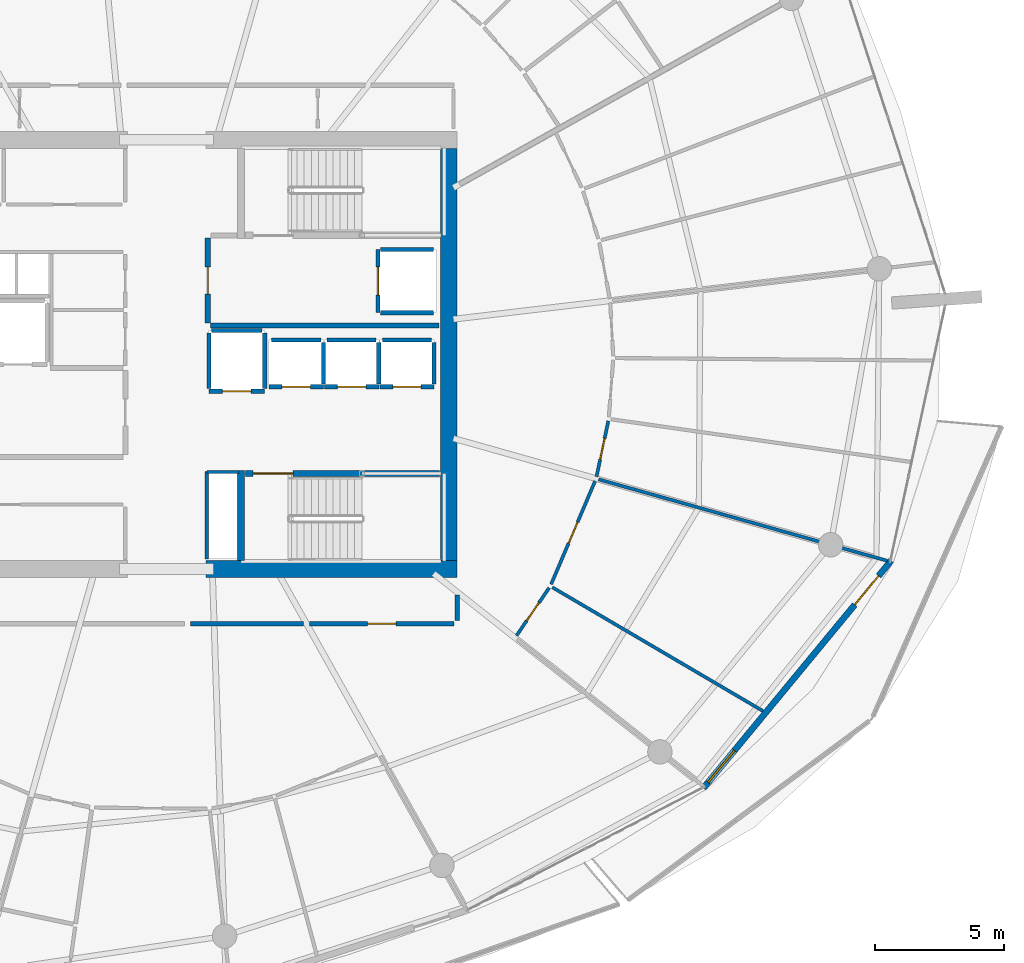
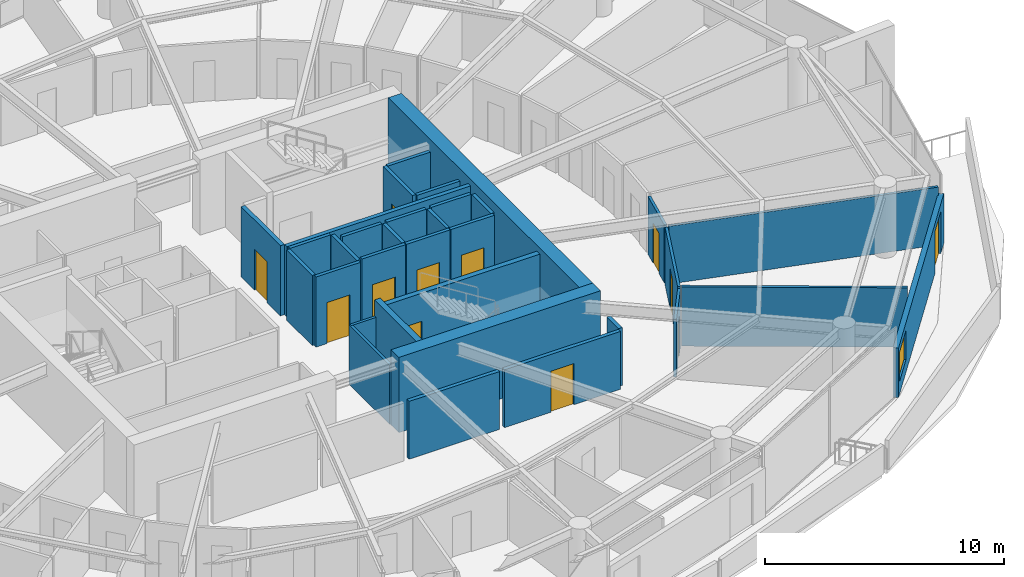
# One storey, part 20 of 31: 33 walls, 12 doors, 1 window, 13 openings.
"""IFC4 building model written with IfcOpenShell, lengths in metres."""

from ifc_helpers import new_model, si_unit, direction, frame, frame_2d, origin, place, context, subcontext, project, spatial, rectangle, extrude, material, layer, layer_set, type_object, element, fill, save


model = new_model("IFC4")

# Units and contexts
model_context = context("Model", 3, precision=1e-05, world=origin(), true_north=direction((0.0, 1.0)))
body_context = subcontext(model_context, "Body", "Model", "MODEL_VIEW")
ifc_project = project(units=[si_unit("LENGTHUNIT", "METRE"), si_unit("AREAUNIT", "SQUARE_METRE"), si_unit("VOLUMEUNIT", "CUBIC_METRE"), si_unit("PLANEANGLEUNIT", "RADIAN"), si_unit("MASSUNIT", "GRAM", prefix="KILO")], contexts=[model_context])

# Site, building, storey
site_placement = place(None, origin())
site = spatial("IfcSite", under=ifc_project, at=site_placement, CompositionType="ELEMENT")
building_placement = place(site_placement, origin())
building = spatial("IfcBuilding", under=site, at=building_placement, Name="Kazma Halo Residences", CompositionType="ELEMENT")
storey_placement = place(building_placement, frame((0.0, 0.0, 248.25)))
storey = spatial("IfcBuildingStorey", under=building, at=storey_placement, Name="L62", CompositionType="ELEMENT", Elevation=248.25)

# Walls
ifc_material_1 = material(Name="Concrete C60/75", Category="concrete")
ifc_layer_1 = layer(ifc_material_1, 0.64990234375)
ifc_layer_set_1 = layer_set([ifc_layer_1], Name="Concrete C60/75")
wall_type_1 = type_object("IfcWallType", Name="WL-CORE-650", PredefinedType="SHEAR", material=ifc_layer_set_1)
wall_1_placement = place(storey_placement, frame((49.949951171875, 33.675048828125, 0.0), z_axis=(0.0, 0.0, 1.0), x_axis=(1.0, 0.0, 0.0)))
element("IfcWall", 1, at=wall_1_placement, inside=storey, type_object=wall_type_1, Name="L62 central core shear wall SE", PredefinedType="SHEAR", context=body_context, shape_type="SweptSolid", body=[
    extrude(rectangle(XDim=9.75, YDim=0.64990234375, at=frame_2d((4.875, 0.0))), origin(), (0.0, 0.0, 1.0), 3.85009765625),
])
wall_2_placement = place(storey_placement, frame((59.375, 34.0, 0.0), z_axis=(0.0, 0.0, 1.0), x_axis=(0.0, 1.0, 0.0)))
element("IfcWall", 2, at=wall_2_placement, inside=storey, type_object=wall_type_1, Name="L62 central core shear wall E", PredefinedType="SHEAR", context=body_context, shape_type="SweptSolid", body=[
    extrude(rectangle(XDim=16.0, YDim=0.64990234375, at=frame_2d((8.0, 0.0))), origin(), (0.0, 0.0, 1.0), 3.85009765625),
])
ifc_layer_2 = layer(ifc_material_1, 0.280029296875)
ifc_layer_set_2 = layer_set([ifc_layer_2], Name="Concrete C60/75")
wall_type_2 = type_object("IfcWallType", Name="WL-CORE-ST-280", PredefinedType="SHEAR", material=ifc_layer_set_2)
wall_3_placement = place(storey_placement, frame((51.31005859375, 34.0, 0.0), z_axis=(0.0, 0.0, 1.0), x_axis=(0.0, 1.0, 0.0)))
element("IfcWall", 3, at=wall_3_placement, inside=storey, type_object=wall_type_2, Name="L62 stairwell bearing wall ST03-W", PredefinedType="SHEAR", context=body_context, shape_type="SweptSolid", body=[
    extrude(rectangle(XDim=3.5, YDim=0.280029296875, at=frame_2d((1.75, 0.0))), origin(), (0.0, 0.0, 1.0), 3.85009765625),
])

# Wall, opening, door
ifc_material_2 = material(Name="Acoustic Twin-Stud Gypsum")
ifc_layer_3 = layer(ifc_material_2, 0.179931640625)
ifc_layer_set_3 = layer_set([ifc_layer_3], Name="Acoustic Twin-Stud Gypsum")
wall_type_3 = type_object("IfcWallType", Name="WL-DEM-180", PredefinedType="PARTITIONING", material=ifc_layer_set_3)
wall_4_placement = place(storey_placement, frame((53.972412109375, 31.550048828125, 0.0), z_axis=(0.0, 0.0, 1.0), x_axis=(1.0, 0.0, 0.0)))
wall_4 = element("IfcWall", 4, at=wall_4_placement, inside=storey, type_object=wall_type_3, Name="L62 Apartment 2 entrance corridor wall", PredefinedType="PARTITIONING", context=body_context, shape_type="SweptSolid", body=[
    extrude(rectangle(XDim=5.607666015625, YDim=0.179931640625, at=frame_2d((2.8037109375, 0.0))), origin(), (0.0, 0.0, 1.0), 2.95703125),
])
opening_1_placement = place(wall_4_placement, frame((2.25390625, 0.0, 0.0)))
opening_1 = element("IfcOpeningElement", 5, at=opening_1_placement, cuts=wall_4, Name="Opening DA-1100", PredefinedType="OPENING", context=body_context, shape_type="SweptSolid", body=[
    extrude(rectangle(XDim=1.10009765625, YDim=2.10009765625, at=frame_2d((0.550048828125, 1.050048828125))), frame((0.0, 0.099853515625, 0.0), z_axis=(0.0, -1.0, 0.0), x_axis=(1.0, 0.0, 0.0)), (0.0, 0.0, 1.0), 0.199951171875),
])
ifc_material_3 = material(Name="Acoustic Walnut Fire Leaf")
door_type_1 = type_object("IfcDoorType", Name="DR-FD60-1100", OperationType="NOTDEFINED", PredefinedType="DOOR", material=ifc_material_3)
door_1_placement = place(opening_1_placement, origin())
door_1 = element("IfcDoor", 6, at=door_1_placement, inside=storey, type_object=door_type_1, Name="L62 Apartment 2 entrance fire door", OperationType="SINGLE_SWING_LEFT", OverallHeight=2.10009765625, OverallWidth=1.10009765625, PredefinedType="DOOR", context=body_context, shape_type="SweptSolid", body=[
    extrude(rectangle(XDim=1.10009765625, YDim=2.10009765625, at=frame_2d((0.550048828125, 1.050048828125))), frame((0.0, 0.02490234375, 0.0), z_axis=(0.0, -1.0, 0.0), x_axis=(1.0, 0.0, 0.0)), (0.0, 0.0, 1.0), 0.050048828125),
])
fill(opening_1, door_1)

# Walls
wall_5_placement = place(storey_placement, frame((59.699951171875, 31.669921875, 0.0), z_axis=(0.0, 0.0, 1.0), x_axis=(0.0, 1.0, 0.0)))
element("IfcWall", 7, at=wall_5_placement, inside=storey, type_object=wall_type_3, Name="L62 Apartment 2 entrance corridor wall", PredefinedType="PARTITIONING", context=body_context, shape_type="SweptSolid", body=[
    extrude(rectangle(XDim=0.986572265625, YDim=0.179931640625, at=frame_2d((0.4931640625, 0.0))), origin(), (0.0, 0.0, 1.0), 2.95703125),
])
wall_6_placement = place(storey_placement, frame((49.356689453125, 31.550048828125, 0.0), z_axis=(0.0, 0.0, 1.0), x_axis=(1.0, 0.0, 0.0)))
element("IfcWall", 8, at=wall_6_placement, inside=storey, type_object=wall_type_3, Name="L62 Apartment 2 inner wall 11", PredefinedType="PARTITIONING", context=body_context, shape_type="SweptSolid", body=[
    extrude(rectangle(XDim=4.375732421875, YDim=0.179931640625, at=frame_2d((2.18798828125, 0.0))), origin(), (0.0, 0.0, 1.0), 2.95703125),
])

# Wall, openings, door, window
ifc_material_4 = material(Name="Insulated Pale-Metal Composite Wall")
ifc_layer_4 = layer(ifc_material_4, 0.239990234375)
ifc_layer_set_4 = layer_set([ifc_layer_4], Name="Insulated Pale-Metal Composite Wall")
wall_type_4 = type_object("IfcWallType", Name="WL-EXT-HOST-240", PredefinedType="SOLIDWALL", material=ifc_layer_set_4)
wall_7_placement = place(storey_placement, frame((69.2578125, 25.177978515625, 0.0), z_axis=(0.0, 0.0, 1.0), x_axis=(0.636680093065, 0.771128043255, 0.0)))
wall_7 = element("IfcWall", 9, at=wall_7_placement, inside=storey, type_object=wall_type_4, Name="L62 exterior terrace-access wall B14", PredefinedType="SOLIDWALL", context=body_context, shape_type="SweptSolid", body=[
    extrude(rectangle(XDim=11.438232421875, YDim=0.239990234375, at=frame_2d((5.71923828125, 0.0))), origin(), (0.0, 0.0, 1.0), 2.5400390625),
])
opening_2_placement = place(wall_7_placement, frame((9.21826171875, 0.0, 0.0)))
opening_2 = element("IfcOpeningElement", 10, at=opening_2_placement, cuts=wall_7, Name="Opening DTR-1600", PredefinedType="OPENING", context=body_context, shape_type="SweptSolid", body=[
    extrude(rectangle(XDim=1.449951171875, YDim=2.14990234375, at=frame_2d((0.72509765625, 1.074951171875))), frame((0.0, 0.1298828125, 0.0), z_axis=(0.0, -1.0, 0.0), x_axis=(1.0, 0.0, 0.0)), (0.0, 0.0, 1.0), 0.260009765625),
])
opening_3_placement = place(wall_7_placement, frame((0.280029296875, 0.0, 0.64990234375)))
opening_3 = element("IfcOpeningElement", 11, at=opening_3_placement, cuts=wall_7, Name="Opening W-1800", PredefinedType="OPENING", context=body_context, shape_type="SweptSolid", body=[
    extrude(rectangle(XDim=1.60009765625, YDim=1.5, at=frame_2d((0.800048828125, 0.75))), frame((0.0, 0.1298828125, 0.0), z_axis=(0.0, -1.0, 0.0), x_axis=(1.0, 0.0, 0.0)), (0.0, 0.0, 1.0), 0.260009765625),
])
ifc_material_5 = material(Name="Aluminium AW-6063 T6 Double-Glazed Terrace Door", Category="aluminium")
door_type_2 = type_object("IfcDoorType", Name="DR-EXT-TERR-1600", OperationType="NOTDEFINED", PredefinedType="DOOR", material=ifc_material_5)
door_2_placement = place(opening_2_placement, origin())
door_2 = element("IfcDoor", 12, at=door_2_placement, inside=storey, type_object=door_type_2, Name="L62 B14 balcony terrace door", OperationType="DOUBLE_DOOR_SLIDING", OverallHeight=2.14990234375, OverallWidth=1.449951171875, PredefinedType="DOOR", context=body_context, shape_type="SweptSolid", body=[
    extrude(rectangle(XDim=1.449951171875, YDim=2.14990234375, at=frame_2d((0.72509765625, 1.074951171875))), frame((0.0, 0.02490234375, 0.0), z_axis=(0.0, -1.0, 0.0), x_axis=(1.0, 0.0, 0.0)), (0.0, 0.0, 1.0), 0.050048828125),
])
fill(opening_2, door_2)
ifc_material_6 = material(Name="Clear Triple-Silver Low-E Glass in Aluminium AW-6063 T6 Frame", Category="aluminium")
window_type = type_object("IfcWindowType", Name="WIN-RES-1800", PartitioningType="DOUBLE_PANEL_VERTICAL", PredefinedType="WINDOW", material=ifc_material_6)
window_placement = place(opening_3_placement, origin())
window = element("IfcWindow", 13, at=window_placement, inside=storey, type_object=window_type, Name="L62 B14 apartment window", OverallHeight=1.5, OverallWidth=1.60009765625, PartitioningType="SINGLE_PANEL", PredefinedType="WINDOW", context=body_context, shape_type="SweptSolid", body=[
    extrude(rectangle(XDim=1.60009765625, YDim=1.5, at=frame_2d((0.800048828125, 0.75))), frame((0.0, 0.030029296875, 0.0), z_axis=(0.0, -1.0, 0.0), x_axis=(1.0, 0.0, 0.0)), (0.0, 0.0, 1.0), 0.06005859375),
])
fill(opening_3, window)

# Wall, opening, door
ifc_material_7 = material(Name="Fire-Rated Blockwork Masonry", Category="masonry")
ifc_layer_5 = layer(ifc_material_7, 0.199951171875)
ifc_layer_set_5 = layer_set([ifc_layer_5], Name="Fire-Rated Blockwork Masonry")
wall_type_5 = type_object("IfcWallType", Name="WL-FLB-200", PredefinedType="PARTITIONING", material=ifc_layer_set_5)
wall_8_placement = place(storey_placement, frame((54.5048828125, 40.7451171875, 0.0), z_axis=(0.0, 0.0, 1.0), x_axis=(-1.0, 0.0, 0.0)))
wall_8 = element("IfcWall", 14, at=wall_8_placement, inside=storey, type_object=wall_type_5, Name="L62 lift shaft PH-01 front wall", PredefinedType="PARTITIONING", context=body_context, shape_type="SweptSolid", body=[
    extrude(rectangle(XDim=2.10986328125, YDim=0.159912109375, at=frame_2d((1.054931640625, 0.0))), origin(), (0.0, 0.0, 1.0), 3.590087890625),
])
opening_4_placement = place(wall_8_placement, frame((0.5048828125, 0.0, 0.0)))
opening_4 = element("IfcOpeningElement", 15, at=opening_4_placement, cuts=wall_8, Name="Opening LD-PH-01", PredefinedType="OPENING", context=body_context, shape_type="SweptSolid", body=[
    extrude(rectangle(XDim=1.10009765625, YDim=2.10009765625, at=frame_2d((0.550048828125, 1.050048828125))), frame((0.0, 0.08984375, 0.0), z_axis=(0.0, -1.0, 0.0), x_axis=(1.0, 0.0, 0.0)), (0.0, 0.0, 1.0), 0.179931640625),
])
ifc_material_8 = material(Name="Stainless Steel Fire-Rated", Category="steel")
door_type_3 = type_object("IfcDoorType", Name="DR-LIFT-SLD-1100", OperationType="DOUBLE_DOOR_SLIDING", PredefinedType="DOOR", material=ifc_material_8)
door_3_placement = place(opening_4_placement, origin())
door_3 = element("IfcDoor", 16, at=door_3_placement, inside=storey, type_object=door_type_3, Name="L62 lift PH-01 sliding landing door", OperationType="DOUBLE_DOOR_SLIDING", OverallHeight=2.10009765625, OverallWidth=1.10009765625, PredefinedType="DOOR", context=body_context, shape_type="SweptSolid", body=[
    extrude(rectangle(XDim=1.10009765625, YDim=2.10009765625, at=frame_2d((0.550048828125, 1.050048828125))), frame((0.0, 0.02490234375, 0.0), z_axis=(0.0, -1.0, 0.0), x_axis=(1.0, 0.0, 0.0)), (0.0, 0.0, 1.0), 0.050048828125),
])
fill(opening_4, door_3)

# Walls
wall_9_placement = place(storey_placement, frame((54.5048828125, 40.844970703125, 0.0), z_axis=(0.0, 0.0, 1.0), x_axis=(0.0, 1.0, 0.0)))
element("IfcWall", 17, at=wall_9_placement, inside=storey, type_object=wall_type_5, Name="L62 lift shaft PH-01 side wall E", PredefinedType="PARTITIONING", context=body_context, shape_type="SweptSolid", body=[
    extrude(rectangle(XDim=1.610107421875, YDim=0.159912109375, at=frame_2d((0.80517578125, 0.0))), origin(), (0.0, 0.0, 1.0), 3.590087890625),
])
wall_10_placement = place(storey_placement, frame((52.4951171875, 42.554931640625, 0.0), z_axis=(0.0, 0.0, 1.0), x_axis=(1.0, 0.0, 0.0)))
element("IfcWall", 18, at=wall_10_placement, inside=storey, type_object=wall_type_5, Name="L62 lift shaft PH-01 side wall N", PredefinedType="PARTITIONING", context=body_context, shape_type="SweptSolid", body=[
    extrude(rectangle(XDim=1.909912109375, YDim=0.159912109375, at=frame_2d((0.955078125, 0.0))), origin(), (0.0, 0.0, 1.0), 3.590087890625),
])

# Wall, opening, door
wall_11_placement = place(storey_placement, frame((56.655029296875, 40.7451171875, 0.0), z_axis=(0.0, 0.0, 1.0), x_axis=(-1.0, 0.0, 0.0)))
wall_11 = element("IfcWall", 19, at=wall_11_placement, inside=storey, type_object=wall_type_5, Name="L62 lift shaft PH-02 front wall", PredefinedType="PARTITIONING", context=body_context, shape_type="SweptSolid", body=[
    extrude(rectangle(XDim=2.110107421875, YDim=0.159912109375, at=frame_2d((1.05517578125, 0.0))), origin(), (0.0, 0.0, 1.0), 3.590087890625),
])
opening_5_placement = place(wall_11_placement, frame((0.5048828125, 0.0, 0.0)))
opening_5 = element("IfcOpeningElement", 20, at=opening_5_placement, cuts=wall_11, Name="Opening LD-PH-02", PredefinedType="OPENING", context=body_context, shape_type="SweptSolid", body=[
    extrude(rectangle(XDim=1.10009765625, YDim=2.10009765625, at=frame_2d((0.550048828125, 1.050048828125))), frame((0.0, 0.08984375, 0.0), z_axis=(0.0, -1.0, 0.0), x_axis=(1.0, 0.0, 0.0)), (0.0, 0.0, 1.0), 0.179931640625),
])
door_4_placement = place(opening_5_placement, origin())
door_4 = element("IfcDoor", 21, at=door_4_placement, inside=storey, type_object=door_type_3, Name="L62 lift PH-02 sliding landing door", OperationType="DOUBLE_DOOR_SLIDING", OverallHeight=2.10009765625, OverallWidth=1.10009765625, PredefinedType="DOOR", context=body_context, shape_type="SweptSolid", body=[
    extrude(rectangle(XDim=1.10009765625, YDim=2.10009765625, at=frame_2d((0.550048828125, 1.050048828125))), frame((0.0, 0.02490234375, 0.0), z_axis=(0.0, -1.0, 0.0), x_axis=(1.0, 0.0, 0.0)), (0.0, 0.0, 1.0), 0.050048828125),
])
fill(opening_5, door_4)

# Walls
wall_12_placement = place(storey_placement, frame((56.655029296875, 40.844970703125, 0.0), z_axis=(0.0, 0.0, 1.0), x_axis=(0.0, 1.0, 0.0)))
element("IfcWall", 22, at=wall_12_placement, inside=storey, type_object=wall_type_5, Name="L62 lift shaft PH-02 side wall E", PredefinedType="PARTITIONING", context=body_context, shape_type="SweptSolid", body=[
    extrude(rectangle(XDim=1.610107421875, YDim=0.159912109375, at=frame_2d((0.80517578125, 0.0))), origin(), (0.0, 0.0, 1.0), 3.590087890625),
])
wall_13_placement = place(storey_placement, frame((54.64501953125, 42.554931640625, 0.0), z_axis=(0.0, 0.0, 1.0), x_axis=(1.0, 0.0, 0.0)))
element("IfcWall", 23, at=wall_13_placement, inside=storey, type_object=wall_type_5, Name="L62 lift shaft PH-02 side wall N", PredefinedType="PARTITIONING", context=body_context, shape_type="SweptSolid", body=[
    extrude(rectangle(XDim=1.909912109375, YDim=0.159912109375, at=frame_2d((0.955078125, 0.0))), origin(), (0.0, 0.0, 1.0), 3.590087890625),
])

# Wall, opening, door
wall_14_placement = place(storey_placement, frame((58.804931640625, 40.7451171875, 0.0), z_axis=(0.0, 0.0, 1.0), x_axis=(-1.0, 0.0, 0.0)))
wall_14 = element("IfcWall", 24, at=wall_14_placement, inside=storey, type_object=wall_type_5, Name="L62 lift shaft PH-03 front wall", PredefinedType="PARTITIONING", context=body_context, shape_type="SweptSolid", body=[
    extrude(rectangle(XDim=2.10986328125, YDim=0.159912109375, at=frame_2d((1.054931640625, 0.0))), origin(), (0.0, 0.0, 1.0), 3.590087890625),
])
opening_6_placement = place(wall_14_placement, frame((0.5048828125, 0.0, 0.0)))
opening_6 = element("IfcOpeningElement", 25, at=opening_6_placement, cuts=wall_14, Name="Opening LD-PH-03", PredefinedType="OPENING", context=body_context, shape_type="SweptSolid", body=[
    extrude(rectangle(XDim=1.10009765625, YDim=2.10009765625, at=frame_2d((0.550048828125, 1.050048828125))), frame((0.0, 0.08984375, 0.0), z_axis=(0.0, -1.0, 0.0), x_axis=(1.0, 0.0, 0.0)), (0.0, 0.0, 1.0), 0.179931640625),
])
door_5_placement = place(opening_6_placement, origin())
door_5 = element("IfcDoor", 26, at=door_5_placement, inside=storey, type_object=door_type_3, Name="L62 lift PH-03 sliding landing door", OperationType="DOUBLE_DOOR_SLIDING", OverallHeight=2.10009765625, OverallWidth=1.10009765625, PredefinedType="DOOR", context=body_context, shape_type="SweptSolid", body=[
    extrude(rectangle(XDim=1.10009765625, YDim=2.10009765625, at=frame_2d((0.550048828125, 1.050048828125))), frame((0.0, 0.02490234375, 0.0), z_axis=(0.0, -1.0, 0.0), x_axis=(1.0, 0.0, 0.0)), (0.0, 0.0, 1.0), 0.050048828125),
])
fill(opening_6, door_5)

# Walls
wall_15_placement = place(storey_placement, frame((58.804931640625, 40.844970703125, 0.0), z_axis=(0.0, 0.0, 1.0), x_axis=(0.0, 1.0, 0.0)))
element("IfcWall", 27, at=wall_15_placement, inside=storey, type_object=wall_type_5, Name="L62 lift shaft PH-03 side wall E", PredefinedType="PARTITIONING", context=body_context, shape_type="SweptSolid", body=[
    extrude(rectangle(XDim=1.610107421875, YDim=0.159912109375, at=frame_2d((0.80517578125, 0.0))), origin(), (0.0, 0.0, 1.0), 3.590087890625),
])
wall_16_placement = place(storey_placement, frame((56.794921875, 42.554931640625, 0.0), z_axis=(0.0, 0.0, 1.0), x_axis=(1.0, 0.0, 0.0)))
element("IfcWall", 28, at=wall_16_placement, inside=storey, type_object=wall_type_5, Name="L62 lift shaft PH-03 side wall N", PredefinedType="PARTITIONING", context=body_context, shape_type="SweptSolid", body=[
    extrude(rectangle(XDim=1.91015625, YDim=0.159912109375, at=frame_2d((0.955078125, 0.0))), origin(), (0.0, 0.0, 1.0), 3.590087890625),
])

# Wall, opening, door
wall_17_placement = place(storey_placement, frame((56.6201171875, 46.080078125, 0.0), z_axis=(0.0, 0.0, 1.0), x_axis=(0.0, -1.0, 0.0)))
wall_17 = element("IfcWall", 29, at=wall_17_placement, inside=storey, type_object=wall_type_5, Name="L62 lift shaft FL-02 front wall", PredefinedType="PARTITIONING", context=body_context, shape_type="SweptSolid", body=[
    extrude(rectangle(XDim=2.4599609375, YDim=0.159912109375, at=frame_2d((1.22998046875, 0.0))), origin(), (0.0, 0.0, 1.0), 3.590087890625),
])
opening_7_placement = place(wall_17_placement, frame((0.679931640625, 0.0, 0.0)))
opening_7 = element("IfcOpeningElement", 30, at=opening_7_placement, cuts=wall_17, Name="Opening LD-FL-02", PredefinedType="OPENING", context=body_context, shape_type="SweptSolid", body=[
    extrude(rectangle(XDim=1.10009765625, YDim=2.10009765625, at=frame_2d((0.550048828125, 1.050048828125))), frame((0.0, 0.08984375, 0.0), z_axis=(0.0, -1.0, 0.0), x_axis=(1.0, 0.0, 0.0)), (0.0, 0.0, 1.0), 0.179931640625),
])
door_6_placement = place(opening_7_placement, origin())
door_6 = element("IfcDoor", 31, at=door_6_placement, inside=storey, type_object=door_type_3, Name="L62 lift FL-02 sliding landing door", OperationType="DOUBLE_DOOR_SLIDING", OverallHeight=2.10009765625, OverallWidth=1.10009765625, PredefinedType="DOOR", context=body_context, shape_type="SweptSolid", body=[
    extrude(rectangle(XDim=1.10009765625, YDim=2.10009765625, at=frame_2d((0.550048828125, 1.050048828125))), frame((0.0, 0.02490234375, 0.0), z_axis=(0.0, -1.0, 0.0), x_axis=(1.0, 0.0, 0.0)), (0.0, 0.0, 1.0), 0.050048828125),
])
fill(opening_7, door_6)

# Walls
for number, where, z_axis, x_axis, name in (
    (32, (56.719970703125, 46.080078125, 0.0), (0.0, 0.0, 1.0), (1.0, 0.0, 0.0), "L62 lift shaft FL-02 side wall N"),
    (33, (56.719970703125, 43.6201171875, 0.0), (0.0, 0.0, 1.0), (1.0, 0.0, 0.0), "L62 lift shaft FL-02 side wall S"),
):
    element("IfcWall", number, at=place(storey_placement, frame(where, z_axis=z_axis, x_axis=x_axis)), inside=storey, type_object=wall_type_5, Name=name, PredefinedType="PARTITIONING", context=body_context, shape_type="SweptSolid", body=[
        extrude(rectangle(XDim=2.06005859375, YDim=0.159912109375, at=frame_2d((1.030029296875, 0.0))), origin(), (0.0, 0.0, 1.0), 3.590087890625),
    ])

# Wall, opening, door
wall_18_placement = place(storey_placement, frame((52.22998046875, 40.570068359375, 0.0), z_axis=(0.0, 0.0, 1.0), x_axis=(-1.0, 0.0, 0.0)))
wall_18 = element("IfcWall", 34, at=wall_18_placement, inside=storey, type_object=wall_type_5, Name="L62 lift shaft SV-01 front wall", PredefinedType="PARTITIONING", context=body_context, shape_type="SweptSolid", body=[
    extrude(rectangle(XDim=2.159912109375, YDim=0.159912109375, at=frame_2d((1.080078125, 0.0))), origin(), (0.0, 0.0, 1.0), 3.590087890625),
])
opening_8_placement = place(wall_18_placement, frame((0.530029296875, 0.0, 0.0)))
opening_8 = element("IfcOpeningElement", 35, at=opening_8_placement, cuts=wall_18, Name="Opening LD-SV-01", PredefinedType="OPENING", context=body_context, shape_type="SweptSolid", body=[
    extrude(rectangle(XDim=1.10009765625, YDim=2.10009765625, at=frame_2d((0.550048828125, 1.050048828125))), frame((0.0, 0.08984375, 0.0), z_axis=(0.0, -1.0, 0.0), x_axis=(1.0, 0.0, 0.0)), (0.0, 0.0, 1.0), 0.179931640625),
])
door_7_placement = place(opening_8_placement, origin())
door_7 = element("IfcDoor", 36, at=door_7_placement, inside=storey, type_object=door_type_3, Name="L62 lift SV-01 sliding landing door", OperationType="DOUBLE_DOOR_SLIDING", OverallHeight=2.10009765625, OverallWidth=1.10009765625, PredefinedType="DOOR", context=body_context, shape_type="SweptSolid", body=[
    extrude(rectangle(XDim=1.10009765625, YDim=2.10009765625, at=frame_2d((0.550048828125, 1.050048828125))), frame((0.0, 0.02490234375, 0.0), z_axis=(0.0, -1.0, 0.0), x_axis=(1.0, 0.0, 0.0)), (0.0, 0.0, 1.0), 0.050048828125),
])
fill(opening_8, door_7)

# Walls
for number, where, z_axis, x_axis, name in (
    (37, (52.22998046875, 40.669921875, 0.0), (0.0, 0.0, 1.0), (0.0, 1.0, 0.0), "L62 lift shaft SV-01 side wall E"),
    (38, (50.070068359375, 40.669921875, 0.0), (0.0, 0.0, 1.0), (0.0, 1.0, 0.0), "L62 lift shaft SV-01 side wall W"),
):
    element("IfcWall", number, at=place(storey_placement, frame(where, z_axis=z_axis, x_axis=x_axis)), inside=storey, type_object=wall_type_5, Name=name, PredefinedType="PARTITIONING", context=body_context, shape_type="SweptSolid", body=[
        extrude(rectangle(XDim=2.16015625, YDim=0.159912109375, at=frame_2d((1.080078125, 0.0))), origin(), (0.0, 0.0, 1.0), 3.590087890625),
    ])
wall_19_placement = place(storey_placement, frame((50.169921875, 42.929931640625, 0.0), z_axis=(0.0, 0.0, 1.0), x_axis=(1.0, 0.0, 0.0)))
element("IfcWall", 39, at=wall_19_placement, inside=storey, type_object=wall_type_5, Name="L62 lift shaft SV-01 side wall N", PredefinedType="PARTITIONING", context=body_context, shape_type="SweptSolid", body=[
    extrude(rectangle(XDim=1.9599609375, YDim=0.159912109375, at=frame_2d((0.97998046875, 0.0))), origin(), (0.0, 0.0, 1.0), 3.590087890625),
])
wall_20_placement = place(storey_placement, frame((50.1201171875, 43.1201171875, 0.0), z_axis=(0.0, 0.0, 1.0), x_axis=(1.0, 0.0, 0.0)))
element("IfcWall", 40, at=wall_20_placement, inside=storey, type_object=wall_type_5, Name="L62 east firefighting lobby south smoke wall", PredefinedType="PARTITIONING", context=body_context, shape_type="SweptSolid", body=[
    extrude(rectangle(XDim=8.8798828125, YDim=0.199951171875, at=frame_2d((4.43994140625, 0.0))), origin(), (0.0, 0.0, 1.0), 3.590087890625),
])

# Wall, opening, door
wall_21_placement = place(storey_placement, frame((50.02001953125, 43.219970703125, 0.0), z_axis=(0.0, 0.0, 1.0), x_axis=(0.0, 1.0, 0.0)))
wall_21 = element("IfcWall", 41, at=wall_21_placement, inside=storey, type_object=wall_type_5, Name="L62 east firefighting lobby smoke wall", PredefinedType="PARTITIONING", context=body_context, shape_type="SweptSolid", body=[
    extrude(rectangle(XDim=3.300048828125, YDim=0.199951171875, at=frame_2d((1.64990234375, 0.0))), origin(), (0.0, 0.0, 1.0), 3.590087890625),
])
opening_9_placement = place(wall_21_placement, frame((1.125, 0.0, 0.0)))
opening_9 = element("IfcOpeningElement", 42, at=opening_9_placement, cuts=wall_21, Name="Opening D-FLE", PredefinedType="OPENING", context=body_context, shape_type="SweptSolid", body=[
    extrude(rectangle(XDim=1.050048828125, YDim=2.10009765625, at=frame_2d((0.52490234375, 1.050048828125))), frame((0.0, 0.10986328125, 0.0), z_axis=(0.0, -1.0, 0.0), x_axis=(1.0, 0.0, 0.0)), (0.0, 0.0, 1.0), 0.219970703125),
])
ifc_material_9 = material(Name="Fire-Rated Steel Leaf", Category="steel")
door_type_4 = type_object("IfcDoorType", Name="DR-FD90-1050", OperationType="NOTDEFINED", PredefinedType="DOOR", material=ifc_material_9)
door_8_placement = place(opening_9_placement, origin())
door_8 = element("IfcDoor", 43, at=door_8_placement, inside=storey, type_object=door_type_4, Name="L62 east firefighting lobby smoke door", OperationType="SINGLE_SWING_RIGHT", OverallHeight=2.10009765625, OverallWidth=1.050048828125, PredefinedType="DOOR", context=body_context, shape_type="SweptSolid", body=[
    extrude(rectangle(XDim=1.050048828125, YDim=2.10009765625, at=frame_2d((0.52490234375, 1.050048828125))), frame((0.0, 0.02490234375, 0.0), z_axis=(0.0, -1.0, 0.0), x_axis=(1.0, 0.0, 0.0)), (0.0, 0.0, 1.0), 0.050048828125),
])
fill(opening_9, door_8)

# Walls
ifc_material_10 = material(Name="Gypsum Plasterboard Partition")
ifc_layer_6 = layer(ifc_material_10, 0.125)
ifc_layer_set_6 = layer_set([ifc_layer_6], Name="Gypsum Plasterboard Partition")
wall_type_6 = type_object("IfcWallType", Name="WL-PART-125", PredefinedType="PARTITIONING", material=ifc_layer_set_6)
wall_22_placement = place(storey_placement, frame((49.97998046875, 34.06005859375, 0.0), z_axis=(0.0, 0.0, 1.0), x_axis=(0.0, 1.0, 0.0)))
element("IfcWall", 44, at=wall_22_placement, inside=storey, type_object=wall_type_6, Name="L62 standpipe riser wall", PredefinedType="PARTITIONING", context=body_context, shape_type="SweptSolid", body=[
    extrude(rectangle(XDim=3.39990234375, YDim=0.125, at=frame_2d((1.699951171875, 0.0))), origin(), (0.0, 0.0, 1.0), 3.030029296875),
])
wall_23_placement = place(storey_placement, frame((49.97998046875, 37.43994140625, 0.0), z_axis=(0.0, 0.0, 1.0), x_axis=(1.0, 0.0, 0.0)))
element("IfcWall", 45, at=wall_23_placement, inside=storey, type_object=wall_type_6, Name="L62 standpipe riser north wall", PredefinedType="PARTITIONING", context=body_context, shape_type="SweptSolid", body=[
    extrude(rectangle(XDim=1.260009765625, YDim=0.125, at=frame_2d((0.6298828125, 0.0))), origin(), (0.0, 0.0, 1.0), 3.030029296875),
])
wall_24_placement = place(storey_placement, frame((63.39013671875, 32.96337890625, 0.0), z_axis=(0.0, 0.0, 1.0), x_axis=(0.862331921897, -0.506343417532, 0.0)))
element("IfcWall", 46, at=wall_24_placement, inside=storey, type_object=wall_type_6, Name="L62 Apartment 2 mid-bay wall 13", PredefinedType="PARTITIONING", context=body_context, shape_type="SweptSolid", body=[
    extrude(rectangle(XDim=9.477783203125, YDim=0.125, at=frame_2d((4.73876953125, 0.0))), origin(), (0.0, 0.0, 1.0), 3.030029296875),
])

# Wall, opening, door
wall_25_placement = place(storey_placement, frame((62.001220703125, 31.08935546875, 0.0), z_axis=(0.0, 0.0, 1.0), x_axis=(0.564052095913, 0.825739204044, 0.0)))
wall_25 = element("IfcWall", 47, at=wall_25_placement, inside=storey, type_object=wall_type_6, Name="L62 Apartment 2 Garden Wine Pantry Store hall wall", PredefinedType="PARTITIONING", context=body_context, shape_type="SweptSolid", body=[
    extrude(rectangle(XDim=2.24462890625, YDim=0.125, at=frame_2d((1.122314453125, 0.0))), origin(), (0.0, 0.0, 1.0), 2.95703125),
])
opening_10_placement = place(wall_25_placement, frame((0.697509765625, 0.0, 0.0)))
opening_10 = element("IfcOpeningElement", 48, at=opening_10_placement, cuts=wall_25, Name="Opening DB-900", PredefinedType="OPENING", context=body_context, shape_type="SweptSolid", body=[
    extrude(rectangle(XDim=0.85009765625, YDim=2.06005859375, at=frame_2d((0.425048828125, 1.030029296875))), frame((0.0, 0.072509765625, 0.0), z_axis=(0.0, -1.0, 0.0), x_axis=(1.0, 0.0, 0.0)), (0.0, 0.0, 1.0), 0.14501953125),
])
ifc_material_11 = material(Name="Moisture-Sealed Timber Leaf", Category="wood")
door_type_5 = type_object("IfcDoorType", Name="DR-BTH-900", OperationType="NOTDEFINED", PredefinedType="DOOR", material=ifc_material_11)
door_9_placement = place(opening_10_placement, origin())
door_9 = element("IfcDoor", 49, at=door_9_placement, inside=storey, type_object=door_type_5, Name="L62 Apartment 2 Garden Wine Pantry Store door", OperationType="SINGLE_SWING_RIGHT", OverallHeight=2.06005859375, OverallWidth=0.85009765625, PredefinedType="DOOR", context=body_context, shape_type="SweptSolid", body=[
    extrude(rectangle(XDim=0.85009765625, YDim=2.06005859375, at=frame_2d((0.425048828125, 1.030029296875))), frame((0.0, 0.02490234375, 0.0), z_axis=(0.0, -1.0, 0.0), x_axis=(1.0, 0.0, 0.0)), (0.0, 0.0, 1.0), 0.050048828125),
])
fill(opening_10, door_9)

wall_26_placement = place(storey_placement, frame((63.343994140625, 33.08251953125, 0.0), z_axis=(0.0, 0.0, 1.0), x_axis=(0.392064212371, 0.919937852998, 0.0)))
wall_26 = element("IfcWall", 50, at=wall_26_placement, inside=storey, type_object=wall_type_6, Name="L62 Apartment 2 Sky Formal Dining Room hall wall", PredefinedType="PARTITIONING", context=body_context, shape_type="SweptSolid", body=[
    extrude(rectangle(XDim=4.35400390625, YDim=0.125, at=frame_2d((2.177001953125, 0.0))), origin(), (0.0, 0.0, 1.0), 2.95703125),
])
opening_11_placement = place(wall_26_placement, frame((1.72705078125, 0.0, 0.0)))
opening_11 = element("IfcOpeningElement", 51, at=opening_11_placement, cuts=wall_26, Name="Opening DI-950", PredefinedType="OPENING", context=body_context, shape_type="SweptSolid", body=[
    extrude(rectangle(XDim=0.89990234375, YDim=2.080078125, at=frame_2d((0.449951171875, 1.0400390625))), frame((0.0, 0.072509765625, 0.0), z_axis=(0.0, -1.0, 0.0), x_axis=(1.0, 0.0, 0.0)), (0.0, 0.0, 1.0), 0.14501953125),
])
ifc_material_12 = material(Name="Timber Veneer Flush Leaf", Category="wood")
door_type_6 = type_object("IfcDoorType", Name="DR-INT-950", OperationType="NOTDEFINED", PredefinedType="DOOR", material=ifc_material_12)
door_10_placement = place(opening_11_placement, origin())
door_10 = element("IfcDoor", 52, at=door_10_placement, inside=storey, type_object=door_type_6, Name="L62 Apartment 2 Sky Formal Dining Room door", OperationType="SINGLE_SWING_LEFT", OverallHeight=2.080078125, OverallWidth=0.89990234375, PredefinedType="DOOR", context=body_context, shape_type="SweptSolid", body=[
    extrude(rectangle(XDim=0.89990234375, YDim=2.080078125, at=frame_2d((0.449951171875, 1.0400390625))), frame((0.0, 0.02490234375, 0.0), z_axis=(0.0, -1.0, 0.0), x_axis=(1.0, 0.0, 0.0)), (0.0, 0.0, 1.0), 0.050048828125),
])
fill(opening_11, door_10)

# Wall
wall_27_placement = place(storey_placement, frame((65.1865234375, 37.15283203125, 0.0), z_axis=(0.0, 0.0, 1.0), x_axis=(0.962455577867, -0.271439239301, 0.0)))
element("IfcWall", 53, at=wall_27_placement, inside=storey, type_object=wall_type_6, Name="L62 Apartment 2 radial partition 14", PredefinedType="PARTITIONING", context=body_context, shape_type="SweptSolid", body=[
    extrude(rectangle(XDim=11.638671875, YDim=0.125, at=frame_2d((5.8193359375, 0.0))), origin(), (0.0, 0.0, 1.0), 2.95703125),
])

# Wall, opening, door
wall_28_placement = place(storey_placement, frame((65.106689453125, 37.25830078125, 0.0), z_axis=(0.0, 0.0, 1.0), x_axis=(0.20677346991, 0.978388845062, 0.0)))
wall_28 = element("IfcWall", 54, at=wall_28_placement, inside=storey, type_object=wall_type_6, Name="L62 Apartment 2 Gulf Master Bedroom hall wall", PredefinedType="PARTITIONING", context=body_context, shape_type="SweptSolid", body=[
    extrude(rectangle(XDim=2.209228515625, YDim=0.125, at=frame_2d((1.1044921875, 0.0))), origin(), (0.0, 0.0, 1.0), 2.95703125),
])
opening_12_placement = place(wall_28_placement, frame((0.6796875, 0.0, 0.0)))
opening_12 = element("IfcOpeningElement", 55, at=opening_12_placement, cuts=wall_28, Name="Opening DB-900", PredefinedType="OPENING", context=body_context, shape_type="SweptSolid", body=[
    extrude(rectangle(XDim=0.85009765625, YDim=2.06005859375, at=frame_2d((0.425048828125, 1.030029296875))), frame((0.0, 0.072509765625, 0.0), z_axis=(0.0, -1.0, 0.0), x_axis=(1.0, 0.0, 0.0)), (0.0, 0.0, 1.0), 0.14501953125),
])
door_11_placement = place(opening_12_placement, origin())
door_11 = element("IfcDoor", 56, at=door_11_placement, inside=storey, type_object=door_type_5, Name="L62 Apartment 2 Gulf Master Bedroom door", OperationType="SINGLE_SWING_RIGHT", OverallHeight=2.06005859375, OverallWidth=0.85009765625, PredefinedType="DOOR", context=body_context, shape_type="SweptSolid", body=[
    extrude(rectangle(XDim=0.85009765625, YDim=2.06005859375, at=frame_2d((0.425048828125, 1.030029296875))), frame((0.0, 0.02490234375, 0.0), z_axis=(0.0, -1.0, 0.0), x_axis=(1.0, 0.0, 0.0)), (0.0, 0.0, 1.0), 0.050048828125),
])
fill(opening_12, door_11)

ifc_material_13 = material(Name="Concrete C50/60", Category="concrete")
ifc_layer_7 = layer(ifc_material_13, 0.25)
ifc_layer_set_7 = layer_set([ifc_layer_7], Name="Concrete C50/60")
wall_type_7 = type_object("IfcWallType", Name="WL-SHF-250", PredefinedType="SOLIDWALL", material=ifc_layer_set_7)
wall_29_placement = place(storey_placement, frame((51.47998046875, 37.3798828125, 0.0), z_axis=(0.0, 0.0, 1.0), x_axis=(1.0, 0.0, 0.0)))
wall_29 = element("IfcWall", 57, at=wall_29_placement, inside=storey, type_object=wall_type_7, Name="L62 exit stair ST-03 enclosure wall", PredefinedType="SOLIDWALL", context=body_context, shape_type="SweptSolid", body=[
    extrude(rectangle(XDim=7.5400390625, YDim=0.25, at=frame_2d((3.77001953125, 0.0))), origin(), (0.0, 0.0, 1.0), 3.590087890625),
])
opening_13_placement = place(wall_29_placement, frame((0.300048828125, 0.0, 0.0)))
opening_13 = element("IfcOpeningElement", 58, at=opening_13_placement, cuts=wall_29, Name="Opening D-ST3", PredefinedType="OPENING", context=body_context, shape_type="SweptSolid", body=[
    extrude(rectangle(XDim=1.550048828125, YDim=2.14990234375, at=frame_2d((0.77490234375, 1.074951171875))), frame((0.0, 0.135009765625, 0.0), z_axis=(0.0, -1.0, 0.0), x_axis=(1.0, 0.0, 0.0)), (0.0, 0.0, 1.0), 0.27001953125),
])
ifc_material_14 = material(Name="Fire-Rated Double Steel Leaf", Category="steel")
door_type_7 = type_object("IfcDoorType", Name="DR-FD90-1550", OperationType="NOTDEFINED", PredefinedType="DOOR", material=ifc_material_14)
door_12_placement = place(opening_13_placement, origin())
door_12 = element("IfcDoor", 59, at=door_12_placement, inside=storey, type_object=door_type_7, Name="L62 exit stair ST-03 fire door", OperationType="DOUBLE_DOOR_SINGLE_SWING", OverallHeight=2.14990234375, OverallWidth=1.550048828125, PredefinedType="DOOR", context=body_context, shape_type="SweptSolid", body=[
    extrude(rectangle(XDim=1.550048828125, YDim=2.14990234375, at=frame_2d((0.77490234375, 1.074951171875))), frame((0.0, 0.02490234375, 0.0), z_axis=(0.0, -1.0, 0.0), x_axis=(1.0, 0.0, 0.0)), (0.0, 0.0, 1.0), 0.050048828125),
])
fill(opening_13, door_12)

save(model, "model.ifc")
